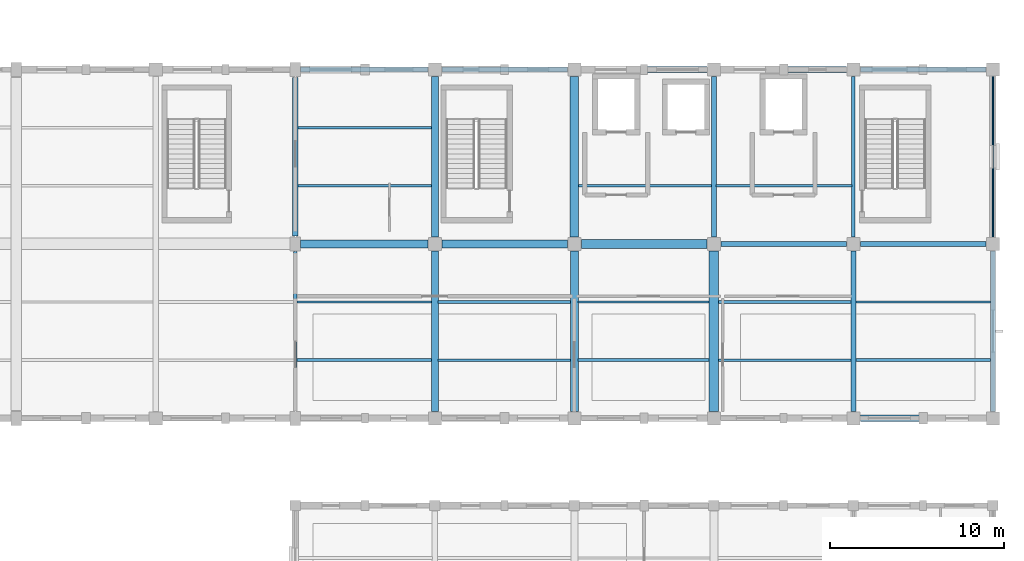
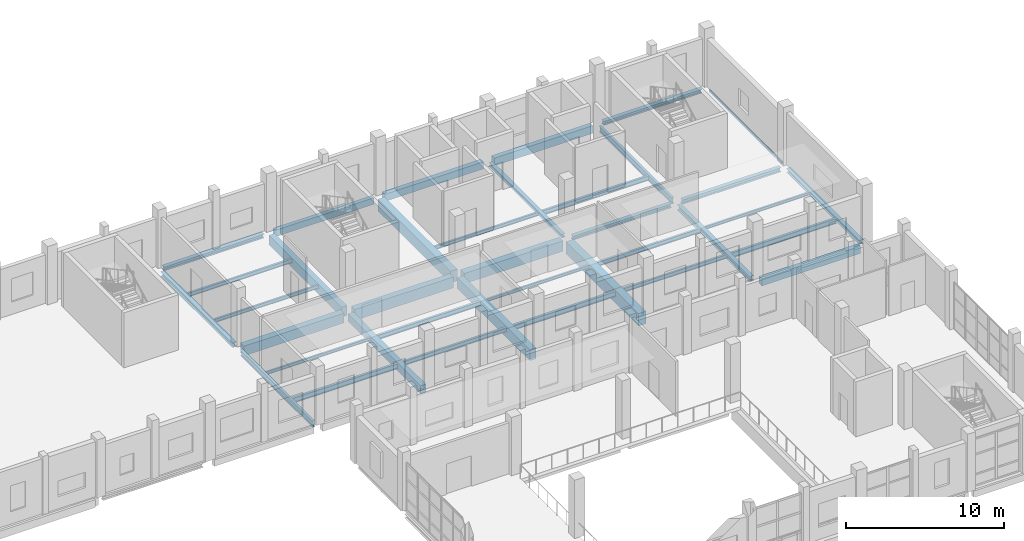
# One storey, part 114 of 183: 37 beams.
"""IFC4 building model written with IfcOpenShell, lengths in metres."""

import ifcopenshell
import ifcopenshell.guid

model = None  # the IFC model being written
_history = None  # IfcOwnerHistory: only IFC2X3 demands one
_inside = {}  # id of a spatial element -> (the spatial element, [elements in it])
_under = {}  # id of a project, library or spatial element -> (it, [spatial elements below it])
_declared = {}  # id of a project -> (the project, [libraries it declares])
_typed = {}  # id of a type object -> (the type object, [elements of that type])
_made_of = {}  # id of a material, layer set ... -> (it, [elements and type objects made of it])


def new_model(schema):
    """Start an empty IFC model of exactly this schema.

    Asked for "IFC4X3", IfcOpenShell would pick the latest addendum, in which some entities
    have other attributes; the version numbers below select the first issue.
    IFC2X3 requires an IfcOwnerHistory on every rooted entity: one is made here for all.
    """
    global model, _history
    if schema == "IFC4X3":
        model = ifcopenshell.file(schema_version=(4, 3, 0, 0))
    else:
        model = ifcopenshell.file(schema=schema)
    _inside.clear()
    _under.clear()
    _declared.clear()
    _typed.clear()
    _made_of.clear()
    _history = None
    if model.schema == "IFC2X3":
        org = make("IfcOrganization", Name="unknown")
        user = make(
            "IfcPersonAndOrganization",
            ThePerson=make("IfcPerson", FamilyName="unknown"),
            TheOrganization=org,
        )
        app = make(
            "IfcApplication",
            ApplicationDeveloper=org,
            Version="unknown",
            ApplicationFullName="unknown",
            ApplicationIdentifier="unknown",
        )
        _history = make(
            "IfcOwnerHistory",
            OwningUser=user,
            OwningApplication=app,
            ChangeAction="ADDED",
            CreationDate=0,
        )
    return model


def make(cls, **values):
    """One entity of the class cls with the attributes given. An attribute that is None is left unset."""
    return model.create_entity(
        cls, **{name: value for name, value in values.items() if value is not None}
    )


def rooted(cls, **values):
    """An entity with a GlobalId (a new one), such as an element, a storey or a relation."""
    return make(cls, GlobalId=ifcopenshell.guid.new(), OwnerHistory=_history, **values)


def si_unit(unit_type, name, prefix=None):
    """IfcSIUnit, for example si_unit("LENGTHUNIT", "METRE", prefix="MILLI")."""
    return make("IfcSIUnit", UnitType=unit_type, Prefix=prefix, Name=name)


def assignment(units):
    """IfcUnitAssignment: the units of a project."""
    return None if units is None else make("IfcUnitAssignment", Units=units)


def point(xyz):
    """IfcCartesianPoint."""
    return None if xyz is None else make("IfcCartesianPoint", Coordinates=xyz)


def direction(xyz):
    """IfcDirection."""
    return None if xyz is None else make("IfcDirection", DirectionRatios=xyz)


def frame(location, z_axis=None, x_axis=None):
    """IfcAxis2Placement3D, a coordinate frame: its origin and axes. An axis left out is left unset."""
    return make(
        "IfcAxis2Placement3D",
        Location=point(location),
        Axis=direction(z_axis),
        RefDirection=direction(x_axis),
    )


def frame_2d(location, x_axis=None):
    """IfcAxis2Placement2D, a coordinate frame in the plane: its origin and x axis."""
    return make(
        "IfcAxis2Placement2D", Location=point(location), RefDirection=direction(x_axis)
    )


def origin():
    """The frame at (0, 0, 0) with its axes left unset."""
    return frame((0.0, 0.0, 0.0))


def origin_2d():
    """The frame at (0, 0) in the plane with its x axis left unset."""
    return frame_2d((0.0, 0.0))


def place(relative_to, where):
    """IfcLocalPlacement: puts the frame where relative to a parent placement (None: the world)."""
    return make(
        "IfcLocalPlacement", PlacementRelTo=relative_to, RelativePlacement=where
    )


def context(
    kind, dimensions, precision=None, world=None, true_north=None, identifier=None
):
    """IfcGeometricRepresentationContext, for example the 3D "Model" context."""
    return make(
        "IfcGeometricRepresentationContext",
        ContextIdentifier=identifier,
        ContextType=kind,
        CoordinateSpaceDimension=dimensions,
        Precision=precision,
        WorldCoordinateSystem=world,
        TrueNorth=true_north,
    )


def subcontext(parent, identifier, kind, view, scale=None):
    """IfcGeometricRepresentationSubContext, for example "Body" below "Model"."""
    return make(
        "IfcGeometricRepresentationSubContext",
        ContextIdentifier=identifier,
        ContextType=kind,
        ParentContext=parent,
        TargetScale=scale,
        TargetView=view,
    )


def project(units=None, contexts=None):
    """IfcProject with its units and contexts."""
    return rooted(
        "IfcProject",
        Name="project",
        RepresentationContexts=contexts,
        UnitsInContext=assignment(units),
    )


def spatial(cls, under=None, at=None, **own):
    """A site, building, storey or space (cls), placed at a placement, below another one or the project."""
    s = rooted(cls, ObjectPlacement=at, **own)
    if under is not None:
        _under.setdefault(under.id(), (under, []))[1].append(s)
    return s


def profile(cls, at=None, kind="AREA", **sizes):
    """A parametric profile (cls). Its sizes go by their IFC names, for example OverallWidth=200.0."""
    return make(cls, ProfileType=kind, Position=at, **sizes)


def rectangle(**sizes):
    """IfcRectangleProfileDef."""
    return profile("IfcRectangleProfileDef", **sizes)


def hollow_rectangle(**sizes):
    """IfcRectangleHollowProfileDef."""
    return profile("IfcRectangleHollowProfileDef", **sizes)


def i_section(**sizes):
    """IfcIShapeProfileDef."""
    return profile("IfcIShapeProfileDef", **sizes)


def extrude(swept, where, along, depth):
    """IfcExtrudedAreaSolid: the profile swept, set in the frame where, extruded along a direction by depth."""
    return make(
        "IfcExtrudedAreaSolid",
        SweptArea=swept,
        Position=where,
        ExtrudedDirection=direction(along),
        Depth=depth,
    )


def shape(context_of_items, identifier, shape_type, items):
    """IfcShapeRepresentation: the items that make up one representation, for example the "Body"."""
    return make(
        "IfcShapeRepresentation",
        ContextOfItems=context_of_items,
        RepresentationIdentifier=identifier,
        RepresentationType=shape_type,
        Items=items,
    )


def material(Name=None, Category=None):
    """IfcMaterial."""
    return make("IfcMaterial", Name=Name, Category=Category)


def material_profile(
    of_material, cross_section, Name=None, Category=None, Priority=None
):
    """IfcMaterialProfile: a cross section and its material."""
    return make(
        "IfcMaterialProfile",
        Name=Name,
        Material=of_material,
        Profile=cross_section,
        Priority=Priority,
        Category=Category,
    )


def profile_set(profiles, Name=None, composite=None):
    """IfcMaterialProfileSet."""
    return make(
        "IfcMaterialProfileSet",
        Name=Name,
        MaterialProfiles=profiles,
        CompositeProfile=composite,
    )


def made_of(thing, what):
    """Note that an element or type object is made of a material, layer set ...; save() writes the relation."""
    if what is not None:
        _made_of.setdefault(what.id(), (what, []))[1].append(thing)
    return thing


def type_object(cls, material=None, **own):
    """A type object (cls), such as IfcWallType, which elements share."""
    return made_of(rooted(cls, **own), material)


def element(
    cls,
    number,
    at=None,
    inside=None,
    cuts=None,
    type_object=None,
    material=None,
    context=None,
    identifier="Body",
    shape_type=None,
    held_by="IfcProductDefinitionShape",
    body=None,
    shapes=None,
    **own,
):
    """One element of the class cls, such as IfcWall. Its Tag is "e" and its number.

    at: its placement. inside: the storey or other place that contains it. cuts: it is an
    opening in that element (IfcRelVoidsElement). A single representation is given by context,
    identifier, shape_type and body (its items); several are given by shapes. held_by: the class
    of the entity that holds the representations. save() writes the other relations.
    """
    e = rooted(cls, Tag="e%d" % number, ObjectPlacement=at, **own)
    if body is not None:
        shapes = [shape(context, identifier, shape_type, body)]
    if shapes is not None:
        e.Representation = make(held_by, Representations=shapes)
    if inside is not None:
        _inside.setdefault(inside.id(), (inside, []))[1].append(e)
    if cuts is not None:
        rooted(
            "IfcRelVoidsElement", RelatingBuildingElement=cuts, RelatedOpeningElement=e
        )
    if type_object is not None:
        _typed.setdefault(type_object.id(), (type_object, []))[1].append(e)
    return made_of(e, material)


def aggregate(whole, parts):
    """IfcRelAggregates: a whole, such as a stair, and the parts it consists of."""
    return rooted("IfcRelAggregates", RelatingObject=whole, RelatedObjects=parts)


def save(model, path):
    """Write the relations noted so far, then the file.

    IfcRelAggregates (storeys below a building ...), IfcRelContainedInSpatialStructure (elements
    in a storey), IfcRelDefinesByType, IfcRelAssociatesMaterial and IfcRelDeclares: one each for
    every whole, place, type object, material and project.
    """
    for whole, parts in _under.values():
        aggregate(whole, parts)
    for where, things in _inside.values():
        rooted(
            "IfcRelContainedInSpatialStructure",
            RelatedElements=things,
            RelatingStructure=where,
        )
    for kind, things in _typed.values():
        rooted("IfcRelDefinesByType", RelatedObjects=things, RelatingType=kind)
    for what, things in _made_of.values():
        rooted("IfcRelAssociatesMaterial", RelatedObjects=things, RelatingMaterial=what)
    for by, libraries in _declared.values():
        rooted("IfcRelDeclares", RelatingContext=by, RelatedDefinitions=libraries)
    model.write(path)


model = new_model("IFC4")

# Units and contexts
model_context = context("Model", 3, precision=1e-05, world=origin(), true_north=direction((0.0, 1.0)))
body_context = subcontext(model_context, "Body", "Model", "MODEL_VIEW")
ifc_project = project(units=[si_unit("LENGTHUNIT", "METRE"), si_unit("AREAUNIT", "SQUARE_METRE"), si_unit("VOLUMEUNIT", "CUBIC_METRE"), si_unit("PLANEANGLEUNIT", "RADIAN"), si_unit("MASSUNIT", "GRAM", prefix="KILO")], contexts=[model_context])

# Site, building, storey
site_placement = place(None, origin())
site = spatial("IfcSite", under=ifc_project, at=site_placement, CompositionType="ELEMENT")
building_placement = place(site_placement, origin())
building = spatial("IfcBuilding", under=site, at=building_placement, Name="Luwemba Playhouse", CompositionType="ELEMENT")
storey_placement = place(building_placement, frame((0.0, 0.0, 4.800048828125)))
storey = spatial("IfcBuildingStorey", under=building, at=storey_placement, Name="L01", CompositionType="ELEMENT", Elevation=4.800048828125)

# Beams
ifc_material_1 = material(Name="Concrete C40/50", Category="concrete")
ifc_material_profile_1 = material_profile(ifc_material_1, rectangle(XDim=0.39990234375, YDim=0.60009765625, at=origin_2d()))
ifc_profile_set_1 = profile_set([ifc_material_profile_1], Name="Concrete C40/50")
beam_type_1 = type_object("IfcBeamType", Name="BM-RB01", PredefinedType="BEAM", material=ifc_profile_set_1)
beam_1_placement = place(storey_placement, frame((140.0, 95.39990234375, -0.550048828125), z_axis=(0.0, 1.0, 0.0), x_axis=(-1.0, 0.0, 0.0)))
element("IfcBeam", 1, at=beam_1_placement, inside=storey, type_object=beam_type_1, Name="L01 transverse girder 0630", PredefinedType="BEAM", context=body_context, shape_type="SweptSolid", body=[
    extrude(rectangle(XDim=0.39990234375, YDim=0.60009765625, at=origin_2d()), origin(), (0.0, 0.0, 1.0), 9.2001953125),
])
ifc_material_profile_2 = material_profile(ifc_material_1, rectangle(XDim=0.39990234375, YDim=0.75, at=origin_2d()))
ifc_profile_set_2 = profile_set([ifc_material_profile_2], Name="Concrete C40/50")
beam_type_2 = type_object("IfcBeamType", Name="BM-RB03", PredefinedType="BEAM", material=ifc_profile_set_2)
beam_2_placement = place(storey_placement, frame((140.0, 105.39990234375, -0.625), z_axis=(0.0, 1.0, 0.0), x_axis=(-1.0, 0.0, 0.0)))
element("IfcBeam", 2, at=beam_2_placement, inside=storey, type_object=beam_type_2, Name="L01 transverse girder 0631", PredefinedType="BEAM", context=body_context, shape_type="SweptSolid", body=[
    extrude(rectangle(XDim=0.39990234375, YDim=0.75, at=origin_2d()), origin(), (0.0, 0.0, 1.0), 9.2001953125),
])
ifc_material_profile_3 = material_profile(ifc_material_1, rectangle(XDim=0.449951171875, YDim=0.75, at=origin_2d()))
ifc_profile_set_3 = profile_set([ifc_material_profile_3], Name="Concrete C40/50")
beam_type_3 = type_object("IfcBeamType", Name="BM-RB04", PredefinedType="BEAM", material=ifc_profile_set_3)
beam_3_placement = place(storey_placement, frame((132.300048828125, 105.0, -0.625), z_axis=(1.0, 0.0, 0.0), x_axis=(0.0, 1.0, 0.0)))
element("IfcBeam", 3, at=beam_3_placement, inside=storey, type_object=beam_type_3, Name="L01 grid girder 0611", PredefinedType="BEAM", context=body_context, shape_type="SweptSolid", body=[
    extrude(rectangle(XDim=0.449951171875, YDim=0.75, at=origin_2d()), origin(), (0.0, 0.0, 1.0), 7.300048828125),
])
ifc_material_profile_4 = material_profile(ifc_material_1, rectangle(XDim=0.449951171875, YDim=0.85009765625, at=origin_2d()))
ifc_profile_set_4 = profile_set([ifc_material_profile_4], Name="Concrete C40/50")
beam_type_4 = type_object("IfcBeamType", Name="BM-RB05", PredefinedType="BEAM", material=ifc_profile_set_4)
beam_4_placement = place(storey_placement, frame((140.39990234375, 105.0, -0.675048828125), z_axis=(1.0, 0.0, 0.0), x_axis=(0.0, 1.0, 0.0)))
element("IfcBeam", 4, at=beam_4_placement, inside=storey, type_object=beam_type_4, Name="L01 grid girder 0612", PredefinedType="BEAM", context=body_context, shape_type="SweptSolid", body=[
    extrude(rectangle(XDim=0.449951171875, YDim=0.85009765625, at=origin_2d()), origin(), (0.0, 0.0, 1.0), 7.2001953125),
])
beam_5_placement = place(storey_placement, frame((148.0, 95.39990234375, -0.675048828125), z_axis=(0.0, 1.0, 0.0), x_axis=(-1.0, 0.0, 0.0)))
element("IfcBeam", 5, at=beam_5_placement, inside=storey, type_object=beam_type_4, Name="L01 transverse girder 0632", PredefinedType="BEAM", context=body_context, shape_type="SweptSolid", body=[
    extrude(rectangle(XDim=0.449951171875, YDim=0.85009765625, at=origin_2d()), origin(), (0.0, 0.0, 1.0), 9.2001953125),
])
ifc_material_profile_5 = material_profile(ifc_material_1, rectangle(XDim=0.5, YDim=0.800048828125, at=origin_2d()))
ifc_profile_set_5 = profile_set([ifc_material_profile_5], Name="Concrete C40/50")
beam_type_5 = type_object("IfcBeamType", Name="BM-RB06", PredefinedType="BEAM", material=ifc_profile_set_5)
beam_6_placement = place(storey_placement, frame((148.39990234375, 105.0, -0.650146484375), z_axis=(1.0, 0.0, 0.0), x_axis=(0.0, 1.0, 0.0)))
element("IfcBeam", 6, at=beam_6_placement, inside=storey, type_object=beam_type_5, Name="L01 grid girder 0613", PredefinedType="BEAM", context=body_context, shape_type="SweptSolid", body=[
    extrude(rectangle(XDim=0.5, YDim=0.800048828125, at=origin_2d()), origin(), (0.0, 0.0, 1.0), 7.2001953125),
])
ifc_material_profile_6 = material_profile(ifc_material_1, rectangle(XDim=0.5, YDim=0.89990234375, at=origin_2d()))
ifc_profile_set_6 = profile_set([ifc_material_profile_6], Name="Concrete C40/50")
beam_type_6 = type_object("IfcBeamType", Name="BM-RB07", PredefinedType="BEAM", material=ifc_profile_set_6)
beam_7_placement = place(storey_placement, frame((148.0, 105.39990234375, -0.699951171875), z_axis=(0.0, 1.0, 0.0), x_axis=(-1.0, 0.0, 0.0)))
element("IfcBeam", 7, at=beam_7_placement, inside=storey, type_object=beam_type_6, Name="L01 transverse girder 0633", PredefinedType="BEAM", context=body_context, shape_type="SweptSolid", body=[
    extrude(rectangle(XDim=0.5, YDim=0.89990234375, at=origin_2d()), origin(), (0.0, 0.0, 1.0), 9.2001953125),
])
ifc_material_profile_7 = material_profile(ifc_material_1, rectangle(XDim=0.550048828125, YDim=0.949951171875, at=origin_2d()))
ifc_profile_set_7 = profile_set([ifc_material_profile_7], Name="Concrete C40/50")
beam_type_7 = type_object("IfcBeamType", Name="BM-RB08", PredefinedType="BEAM", material=ifc_profile_set_7)
beam_8_placement = place(storey_placement, frame((156.0, 95.39990234375, -0.72509765625), z_axis=(0.0, 1.0, 0.0), x_axis=(-1.0, 0.0, 0.0)))
element("IfcBeam", 8, at=beam_8_placement, inside=storey, type_object=beam_type_7, Name="L01 transverse girder 0634", PredefinedType="BEAM", context=body_context, shape_type="SweptSolid", body=[
    extrude(rectangle(XDim=0.550048828125, YDim=0.949951171875, at=origin_2d()), origin(), (0.0, 0.0, 1.0), 9.2001953125),
])
ifc_material_2 = material(Name="Steel S355", Category="steel")
ifc_material_profile_8 = material_profile(ifc_material_2, i_section(OverallWidth=0.280029296875, OverallDepth=0.27001953125, WebThickness=0.008056640625, FlangeThickness=0.012939453125, FilletRadius=0.02392578125, at=origin_2d()))
ifc_profile_set_8 = profile_set([ifc_material_profile_8], Name="Steel S355")
beam_type_8 = type_object("IfcBeamType", Name="BM-SB02", PredefinedType="BEAM", material=ifc_profile_set_8)
beam_9_placement = place(storey_placement, frame((156.0, 105.39990234375, -0.385009765625), z_axis=(0.0, 1.0, 0.0), x_axis=(-1.0, 0.0, 0.0)))
element("IfcBeam", 9, at=beam_9_placement, inside=storey, type_object=beam_type_8, Name="L01 transverse girder 0635", PredefinedType="BEAM", context=body_context, shape_type="SweptSolid", body=[
    extrude(i_section(OverallWidth=0.280029296875, OverallDepth=0.27001953125, WebThickness=0.008056640625, FlangeThickness=0.012939453125, FilletRadius=0.02392578125, at=origin_2d()), origin(), (0.0, 0.0, 1.0), 9.2001953125),
])
ifc_material_profile_9 = material_profile(ifc_material_2, i_section(OverallWidth=0.300048828125, OverallDepth=0.2900390625, WebThickness=0.008544921875, FlangeThickness=0.013916015625, FilletRadius=0.027099609375, at=origin_2d()))
ifc_profile_set_9 = profile_set([ifc_material_profile_9], Name="Steel S355")
beam_type_9 = type_object("IfcBeamType", Name="BM-SB03", PredefinedType="BEAM", material=ifc_profile_set_9)
beam_10_placement = place(storey_placement, frame((156.39990234375, 105.0, -0.39501953125), z_axis=(1.0, 0.0, 0.0), x_axis=(0.0, 1.0, 0.0)))
element("IfcBeam", 10, at=beam_10_placement, inside=storey, type_object=beam_type_9, Name="L01 grid girder 0614", PredefinedType="BEAM", context=body_context, shape_type="SweptSolid", body=[
    extrude(i_section(OverallWidth=0.300048828125, OverallDepth=0.2900390625, WebThickness=0.008544921875, FlangeThickness=0.013916015625, FilletRadius=0.027099609375, at=origin_2d()), origin(), (0.0, 0.0, 1.0), 7.2001953125),
])
ifc_material_profile_10 = material_profile(ifc_material_2, i_section(OverallWidth=0.300048828125, OverallDepth=0.330078125, WebThickness=0.009521484375, FlangeThickness=0.0166015625, FilletRadius=0.027099609375, at=origin_2d()))
ifc_profile_set_10 = profile_set([ifc_material_profile_10], Name="Steel S355")
beam_type_10 = type_object("IfcBeamType", Name="BM-SB04", PredefinedType="BEAM", material=ifc_profile_set_10)
beam_11_placement = place(storey_placement, frame((164.39990234375, 105.0, -0.4150390625), z_axis=(1.0, 0.0, 0.0), x_axis=(0.0, 1.0, 0.0)))
element("IfcBeam", 11, at=beam_11_placement, inside=storey, type_object=beam_type_10, Name="L01 grid girder 0615", PredefinedType="BEAM", context=body_context, shape_type="SweptSolid", body=[
    extrude(i_section(OverallWidth=0.300048828125, OverallDepth=0.330078125, WebThickness=0.009521484375, FlangeThickness=0.0166015625, FilletRadius=0.027099609375, at=origin_2d()), origin(), (0.0, 0.0, 1.0), 7.2001953125),
])
ifc_material_profile_11 = material_profile(ifc_material_2, i_section(OverallWidth=0.300048828125, OverallDepth=0.389892578125, WebThickness=0.010986328125, FlangeThickness=0.01904296875, FilletRadius=0.027099609375, at=origin_2d()))
ifc_profile_set_11 = profile_set([ifc_material_profile_11], Name="Steel S355")
beam_type_11 = type_object("IfcBeamType", Name="BM-SB05", PredefinedType="BEAM", material=ifc_profile_set_11)
beam_12_placement = place(storey_placement, frame((164.0, 95.39990234375, -0.445068359375), z_axis=(0.0, 1.0, 0.0), x_axis=(-1.0, 0.0, 0.0)))
element("IfcBeam", 12, at=beam_12_placement, inside=storey, type_object=beam_type_11, Name="L01 transverse girder 0636", PredefinedType="BEAM", context=body_context, shape_type="SweptSolid", body=[
    extrude(i_section(OverallWidth=0.300048828125, OverallDepth=0.389892578125, WebThickness=0.010986328125, FlangeThickness=0.01904296875, FilletRadius=0.027099609375, at=origin_2d()), origin(), (0.0, 0.0, 1.0), 9.2001953125),
])
ifc_material_profile_12 = material_profile(ifc_material_2, i_section(OverallWidth=0.18994140625, OverallDepth=0.449951171875, WebThickness=0.009521484375, FlangeThickness=0.0146484375, FilletRadius=0.02099609375, at=origin_2d()))
ifc_profile_set_12 = profile_set([ifc_material_profile_12], Name="Steel S355")
beam_type_12 = type_object("IfcBeamType", Name="BM-SB06", PredefinedType="BEAM", material=ifc_profile_set_12)
beam_13_placement = place(storey_placement, frame((132.0, 95.449951171875, -0.47509765625), z_axis=(0.0, 1.0, 0.0), x_axis=(-1.0, 0.0, 0.0)))
element("IfcBeam", 13, at=beam_13_placement, inside=storey, type_object=beam_type_12, Name="L01 transverse girder 0628", PredefinedType="BEAM", context=body_context, shape_type="SweptSolid", body=[
    extrude(i_section(OverallWidth=0.18994140625, OverallDepth=0.449951171875, WebThickness=0.009521484375, FlangeThickness=0.0146484375, FilletRadius=0.02099609375, at=origin_2d()), origin(), (0.0, 0.0, 1.0), 9.10009765625),
])
beam_14_placement = place(storey_placement, frame((164.0, 105.39990234375, -0.47509765625), z_axis=(0.0, 1.0, 0.0), x_axis=(-1.0, 0.0, 0.0)))
element("IfcBeam", 14, at=beam_14_placement, inside=storey, type_object=beam_type_12, Name="L01 transverse girder 0637", PredefinedType="BEAM", context=body_context, shape_type="SweptSolid", body=[
    extrude(i_section(OverallWidth=0.18994140625, OverallDepth=0.449951171875, WebThickness=0.009521484375, FlangeThickness=0.0146484375, FilletRadius=0.02099609375, at=origin_2d()), origin(), (0.0, 0.0, 1.0), 9.2001953125),
])
ifc_material_profile_13 = material_profile(ifc_material_2, i_section(OverallWidth=0.300048828125, OverallDepth=0.360107421875, WebThickness=0.012451171875, FlangeThickness=0.0224609375, FilletRadius=0.027099609375, at=origin_2d()))
ifc_profile_set_13 = profile_set([ifc_material_profile_13], Name="Steel S355")
beam_type_13 = type_object("IfcBeamType", Name="BM-SB09", PredefinedType="BEAM", material=ifc_profile_set_13)
beam_15_placement = place(storey_placement, frame((132.0, 105.449951171875, -0.429931640625), z_axis=(0.0, 1.0, 0.0), x_axis=(-1.0, 0.0, 0.0)))
element("IfcBeam", 15, at=beam_15_placement, inside=storey, type_object=beam_type_13, Name="L01 transverse girder 0629", PredefinedType="BEAM", context=body_context, shape_type="SweptSolid", body=[
    extrude(i_section(OverallWidth=0.300048828125, OverallDepth=0.360107421875, WebThickness=0.012451171875, FlangeThickness=0.0224609375, FilletRadius=0.027099609375, at=origin_2d()), origin(), (0.0, 0.0, 1.0), 9.10009765625),
])
ifc_material_profile_14 = material_profile(ifc_material_2, i_section(OverallWidth=0.1201171875, OverallDepth=0.239990234375, WebThickness=0.006103515625, FlangeThickness=0.009765625, FilletRadius=0.014892578125, at=origin_2d()))
ifc_profile_set_14 = profile_set([ifc_material_profile_14], Name="Steel S355")
beam_type_14 = type_object("IfcBeamType", Name="BM-SJ03", PredefinedType="JOIST", material=ifc_profile_set_14)
beam_16_placement = place(storey_placement, frame((132.091064453125, 101.666748046875, -0.3701171875), z_axis=(1.0, 0.0, 0.0), x_axis=(0.0, 1.0, 0.0)))
element("IfcBeam", 16, at=beam_16_placement, inside=storey, type_object=beam_type_14, Name="L01 composite floor joist 0376", PredefinedType="JOIST", context=body_context, shape_type="SweptSolid", body=[
    extrude(i_section(OverallWidth=0.1201171875, OverallDepth=0.239990234375, WebThickness=0.006103515625, FlangeThickness=0.009765625, FilletRadius=0.014892578125, at=origin_2d()), origin(), (0.0, 0.0, 1.0), 7.712890625),
])
beam_17_placement = place(storey_placement, frame((148.220947265625, 101.666748046875, -0.3701171875), z_axis=(1.0, 0.0, 0.0), x_axis=(0.0, 1.0, 0.0)))
element("IfcBeam", 17, at=beam_17_placement, inside=storey, type_object=beam_type_14, Name="L01 composite floor joist 0382", PredefinedType="JOIST", context=body_context, shape_type="SweptSolid", body=[
    extrude(i_section(OverallWidth=0.1201171875, OverallDepth=0.239990234375, WebThickness=0.006103515625, FlangeThickness=0.009765625, FilletRadius=0.014892578125, at=origin_2d()), origin(), (0.0, 0.0, 1.0), 7.508056640625),
])
beam_18_placement = place(storey_placement, frame((164.14599609375, 101.666748046875, -0.3701171875), z_axis=(1.0, 0.0, 0.0), x_axis=(0.0, 1.0, 0.0)))
element("IfcBeam", 18, at=beam_18_placement, inside=storey, type_object=beam_type_14, Name="L01 composite floor joist 0388", PredefinedType="JOIST", context=body_context, shape_type="SweptSolid", body=[
    extrude(i_section(OverallWidth=0.1201171875, OverallDepth=0.239990234375, WebThickness=0.006103515625, FlangeThickness=0.009765625, FilletRadius=0.014892578125, at=origin_2d()), origin(), (0.0, 0.0, 1.0), 7.7080078125),
])
ifc_material_profile_15 = material_profile(ifc_material_2, i_section(OverallWidth=0.135009765625, OverallDepth=0.27001953125, WebThickness=0.006591796875, FlangeThickness=0.01025390625, FilletRadius=0.014892578125, at=origin_2d()))
ifc_profile_set_15 = profile_set([ifc_material_profile_15], Name="Steel S355")
beam_type_15 = type_object("IfcBeamType", Name="BM-SJ04", PredefinedType="JOIST", material=ifc_profile_set_15)
beam_19_placement = place(storey_placement, frame((132.14599609375, 108.333251953125, -0.385009765625), z_axis=(1.0, 0.0, 0.0), x_axis=(0.0, 1.0, 0.0)))
element("IfcBeam", 19, at=beam_19_placement, inside=storey, type_object=beam_type_15, Name="L01 composite floor joist 0377", PredefinedType="JOIST", context=body_context, shape_type="SweptSolid", body=[
    extrude(i_section(OverallWidth=0.135009765625, OverallDepth=0.27001953125, WebThickness=0.006591796875, FlangeThickness=0.01025390625, FilletRadius=0.014892578125, at=origin_2d()), origin(), (0.0, 0.0, 1.0), 7.657958984375),
])
beam_20_placement = place(storey_placement, frame((148.24609375, 108.333251953125, -0.385009765625), z_axis=(1.0, 0.0, 0.0), x_axis=(0.0, 1.0, 0.0)))
element("IfcBeam", 20, at=beam_20_placement, inside=storey, type_object=beam_type_15, Name="L01 composite floor joist 0383", PredefinedType="JOIST", context=body_context, shape_type="SweptSolid", body=[
    extrude(i_section(OverallWidth=0.135009765625, OverallDepth=0.27001953125, WebThickness=0.006591796875, FlangeThickness=0.01025390625, FilletRadius=0.014892578125, at=origin_2d()), origin(), (0.0, 0.0, 1.0), 7.617919921875),
])
ifc_material_profile_16 = material_profile(ifc_material_2, i_section(OverallWidth=0.14990234375, OverallDepth=0.300048828125, WebThickness=0.007080078125, FlangeThickness=0.0107421875, FilletRadius=0.014892578125, at=origin_2d()))
ifc_profile_set_16 = profile_set([ifc_material_profile_16], Name="Steel S355")
beam_type_16 = type_object("IfcBeamType", Name="BM-SJ05", PredefinedType="JOIST", material=ifc_profile_set_16)
beam_21_placement = place(storey_placement, frame((132.14599609375, 111.666748046875, -0.400146484375), z_axis=(1.0, 0.0, 0.0), x_axis=(0.0, 1.0, 0.0)))
element("IfcBeam", 21, at=beam_21_placement, inside=storey, type_object=beam_type_16, Name="L01 composite floor joist 0378", PredefinedType="JOIST", context=body_context, shape_type="SweptSolid", body=[
    extrude(i_section(OverallWidth=0.14990234375, OverallDepth=0.300048828125, WebThickness=0.007080078125, FlangeThickness=0.0107421875, FilletRadius=0.014892578125, at=origin_2d()), origin(), (0.0, 0.0, 1.0), 7.657958984375),
])
beam_22_placement = place(storey_placement, frame((156.27099609375, 98.333251953125, -0.400146484375), z_axis=(1.0, 0.0, 0.0), x_axis=(0.0, 1.0, 0.0)))
element("IfcBeam", 22, at=beam_22_placement, inside=storey, type_object=beam_type_16, Name="L01 composite floor joist 0384", PredefinedType="JOIST", context=body_context, shape_type="SweptSolid", body=[
    extrude(i_section(OverallWidth=0.14990234375, OverallDepth=0.300048828125, WebThickness=0.007080078125, FlangeThickness=0.0107421875, FilletRadius=0.014892578125, at=origin_2d()), origin(), (0.0, 0.0, 1.0), 7.5830078125),
])
ifc_material_profile_17 = material_profile(ifc_material_2, i_section(OverallWidth=0.159912109375, OverallDepth=0.330078125, WebThickness=0.007568359375, FlangeThickness=0.011474609375, FilletRadius=0.01806640625, at=origin_2d()))
ifc_profile_set_17 = profile_set([ifc_material_profile_17], Name="Steel S355")
beam_type_17 = type_object("IfcBeamType", Name="BM-SJ06", PredefinedType="JOIST", material=ifc_profile_set_17)
for number, where, z_axis, x_axis, name in (
    (23, (140.196044921875, 98.333251953125, -0.4150390625), (1.0, 0.0, 0.0), (0.0, 1.0, 0.0), "L01 composite floor joist 0379"),
    (24, (156.27099609375, 101.666748046875, -0.4150390625), (1.0, 0.0, 0.0), (0.0, 1.0, 0.0), "L01 composite floor joist 0385"),
):
    element("IfcBeam", number, at=place(storey_placement, frame(where, z_axis=z_axis, x_axis=x_axis)), inside=storey, type_object=beam_type_17, Name=name, PredefinedType="JOIST", context=body_context, shape_type="SweptSolid", body=[
        extrude(i_section(OverallWidth=0.159912109375, OverallDepth=0.330078125, WebThickness=0.007568359375, FlangeThickness=0.011474609375, FilletRadius=0.01806640625, at=origin_2d()), origin(), (0.0, 0.0, 1.0), 7.5830078125),
    ])
ifc_material_profile_18 = material_profile(ifc_material_2, i_section(OverallWidth=0.169921875, OverallDepth=0.360107421875, WebThickness=0.008056640625, FlangeThickness=0.0126953125, FilletRadius=0.01806640625, at=origin_2d()))
ifc_profile_set_18 = profile_set([ifc_material_profile_18], Name="Steel S355")
beam_type_18 = type_object("IfcBeamType", Name="BM-SJ07", PredefinedType="JOIST", material=ifc_profile_set_18)
beam_23_placement = place(storey_placement, frame((140.196044921875, 101.666748046875, -0.429931640625), z_axis=(1.0, 0.0, 0.0), x_axis=(0.0, 1.0, 0.0)))
element("IfcBeam", 25, at=beam_23_placement, inside=storey, type_object=beam_type_18, Name="L01 composite floor joist 0380", PredefinedType="JOIST", context=body_context, shape_type="SweptSolid", body=[
    extrude(i_section(OverallWidth=0.169921875, OverallDepth=0.360107421875, WebThickness=0.008056640625, FlangeThickness=0.0126953125, FilletRadius=0.01806640625, at=origin_2d()), origin(), (0.0, 0.0, 1.0), 7.5830078125),
])
beam_24_placement = place(storey_placement, frame((156.135986328125, 108.333251953125, -0.429931640625), z_axis=(1.0, 0.0, 0.0), x_axis=(0.0, 1.0, 0.0)))
element("IfcBeam", 26, at=beam_24_placement, inside=storey, type_object=beam_type_18, Name="L01 composite floor joist 0386", PredefinedType="JOIST", context=body_context, shape_type="SweptSolid", body=[
    extrude(i_section(OverallWidth=0.169921875, OverallDepth=0.360107421875, WebThickness=0.008056640625, FlangeThickness=0.0126953125, FilletRadius=0.01806640625, at=origin_2d()), origin(), (0.0, 0.0, 1.0), 7.77294921875),
])
ifc_material_profile_19 = material_profile(ifc_material_2, i_section(OverallWidth=0.179931640625, OverallDepth=0.39990234375, WebThickness=0.008544921875, FlangeThickness=0.013427734375, FilletRadius=0.02099609375, at=origin_2d()))
ifc_profile_set_19 = profile_set([ifc_material_profile_19], Name="Steel S355")
beam_type_19 = type_object("IfcBeamType", Name="BM-SJ08", PredefinedType="JOIST", material=ifc_profile_set_19)
beam_25_placement = place(storey_placement, frame((132.091064453125, 98.333251953125, -0.449951171875), z_axis=(1.0, 0.0, 0.0), x_axis=(0.0, 1.0, 0.0)))
element("IfcBeam", 27, at=beam_25_placement, inside=storey, type_object=beam_type_19, Name="L01 composite floor joist 0375", PredefinedType="JOIST", context=body_context, shape_type="SweptSolid", body=[
    extrude(i_section(OverallWidth=0.179931640625, OverallDepth=0.39990234375, WebThickness=0.008544921875, FlangeThickness=0.013427734375, FilletRadius=0.02099609375, at=origin_2d()), origin(), (0.0, 0.0, 1.0), 7.712890625),
])
beam_26_placement = place(storey_placement, frame((148.220947265625, 98.333251953125, -0.449951171875), z_axis=(1.0, 0.0, 0.0), x_axis=(0.0, 1.0, 0.0)))
element("IfcBeam", 28, at=beam_26_placement, inside=storey, type_object=beam_type_19, Name="L01 composite floor joist 0381", PredefinedType="JOIST", context=body_context, shape_type="SweptSolid", body=[
    extrude(i_section(OverallWidth=0.179931640625, OverallDepth=0.39990234375, WebThickness=0.008544921875, FlangeThickness=0.013427734375, FilletRadius=0.02099609375, at=origin_2d()), origin(), (0.0, 0.0, 1.0), 7.508056640625),
])
beam_27_placement = place(storey_placement, frame((164.14599609375, 98.333251953125, -0.449951171875), z_axis=(1.0, 0.0, 0.0), x_axis=(0.0, 1.0, 0.0)))
element("IfcBeam", 29, at=beam_27_placement, inside=storey, type_object=beam_type_19, Name="L01 composite floor joist 0387", PredefinedType="JOIST", context=body_context, shape_type="SweptSolid", body=[
    extrude(i_section(OverallWidth=0.179931640625, OverallDepth=0.39990234375, WebThickness=0.008544921875, FlangeThickness=0.013427734375, FilletRadius=0.02099609375, at=origin_2d()), origin(), (0.0, 0.0, 1.0), 7.7080078125),
])
ifc_material_profile_20 = material_profile(ifc_material_1, rectangle(XDim=0.300048828125, YDim=0.5, at=origin_2d()))
ifc_profile_set_20 = profile_set([ifc_material_profile_20], Name="Concrete C40/50")
beam_type_20 = type_object("IfcBeamType", Name="BM-SP1", PredefinedType="SPANDREL", material=ifc_profile_set_20)
beam_28_placement = place(storey_placement, frame((140.39990234375, 115.0, -0.5), z_axis=(1.0, 0.0, 0.0), x_axis=(0.0, 1.0, 0.0)))
element("IfcBeam", 30, at=beam_28_placement, inside=storey, type_object=beam_type_20, Name="L01 grid girder 0620", PredefinedType="SPANDREL", context=body_context, shape_type="SweptSolid", body=[
    extrude(rectangle(XDim=0.300048828125, YDim=0.5, at=origin_2d()), origin(), (0.0, 0.0, 1.0), 7.2001953125),
])
ifc_material_profile_21 = material_profile(ifc_material_1, rectangle(XDim=0.35009765625, YDim=0.550048828125, at=origin_2d()))
ifc_profile_set_21 = profile_set([ifc_material_profile_21], Name="Concrete C40/50")
beam_type_21 = type_object("IfcBeamType", Name="BM-SP2", PredefinedType="SPANDREL", material=ifc_profile_set_21)
for number, where, z_axis, x_axis, name in (
    (31, (164.39990234375, 95.0, -0.525146484375), (1.0, 0.0, 0.0), (0.0, 1.0, 0.0), "L01 grid girder 0609"),
    (32, (148.39990234375, 115.0, -0.525146484375), (1.0, 0.0, 0.0), (0.0, 1.0, 0.0), "L01 grid girder 0621"),
):
    element("IfcBeam", number, at=place(storey_placement, frame(where, z_axis=z_axis, x_axis=x_axis)), inside=storey, type_object=beam_type_21, Name=name, PredefinedType="SPANDREL", context=body_context, shape_type="SweptSolid", body=[
        extrude(rectangle(XDim=0.35009765625, YDim=0.550048828125, at=origin_2d()), origin(), (0.0, 0.0, 1.0), 7.2001953125),
    ])
ifc_material_profile_22 = material_profile(ifc_material_1, rectangle(XDim=0.35009765625, YDim=0.60009765625, at=origin_2d()))
ifc_profile_set_22 = profile_set([ifc_material_profile_22], Name="Concrete C40/50")
beam_type_22 = type_object("IfcBeamType", Name="BM-SP3", PredefinedType="SPANDREL", material=ifc_profile_set_22)
beam_29_placement = place(storey_placement, frame((156.39990234375, 115.0, -0.550048828125), z_axis=(1.0, 0.0, 0.0), x_axis=(0.0, 1.0, 0.0)))
element("IfcBeam", 33, at=beam_29_placement, inside=storey, type_object=beam_type_22, Name="L01 grid girder 0622", PredefinedType="SPANDREL", context=body_context, shape_type="SweptSolid", body=[
    extrude(rectangle(XDim=0.35009765625, YDim=0.60009765625, at=origin_2d()), origin(), (0.0, 0.0, 1.0), 7.2001953125),
])
ifc_material_profile_23 = material_profile(ifc_material_2, i_section(OverallWidth=0.300048828125, OverallDepth=0.300048828125, WebThickness=0.010986328125, FlangeThickness=0.01904296875, FilletRadius=0.027099609375, at=origin_2d()))
ifc_profile_set_23 = profile_set([ifc_material_profile_23], Name="Steel S355")
beam_type_23 = type_object("IfcBeamType", Name="BM-SSP1", PredefinedType="SPANDREL", material=ifc_profile_set_23)
beam_30_placement = place(storey_placement, frame((132.300048828125, 115.0, -0.400146484375), z_axis=(1.0, 0.0, 0.0), x_axis=(0.0, 1.0, 0.0)))
element("IfcBeam", 34, at=beam_30_placement, inside=storey, type_object=beam_type_23, Name="L01 grid girder 0619", PredefinedType="SPANDREL", context=body_context, shape_type="SweptSolid", body=[
    extrude(i_section(OverallWidth=0.300048828125, OverallDepth=0.300048828125, WebThickness=0.010986328125, FlangeThickness=0.01904296875, FilletRadius=0.027099609375, at=origin_2d()), origin(), (0.0, 0.0, 1.0), 7.300048828125),
])
beam_31_placement = place(storey_placement, frame((164.39990234375, 115.0, -0.400146484375), z_axis=(1.0, 0.0, 0.0), x_axis=(0.0, 1.0, 0.0)))
element("IfcBeam", 35, at=beam_31_placement, inside=storey, type_object=beam_type_23, Name="L01 grid girder 0623", PredefinedType="SPANDREL", context=body_context, shape_type="SweptSolid", body=[
    extrude(i_section(OverallWidth=0.300048828125, OverallDepth=0.300048828125, WebThickness=0.010986328125, FlangeThickness=0.01904296875, FilletRadius=0.027099609375, at=origin_2d()), origin(), (0.0, 0.0, 1.0), 7.2001953125),
])
beam_32_placement = place(storey_placement, frame((172.0, 95.39990234375, -0.400146484375), z_axis=(0.0, 1.0, 0.0), x_axis=(-1.0, 0.0, 0.0)))
element("IfcBeam", 36, at=beam_32_placement, inside=storey, type_object=beam_type_23, Name="L01 transverse girder 0638", PredefinedType="SPANDREL", context=body_context, shape_type="SweptSolid", body=[
    extrude(i_section(OverallWidth=0.300048828125, OverallDepth=0.300048828125, WebThickness=0.010986328125, FlangeThickness=0.01904296875, FilletRadius=0.027099609375, at=origin_2d()), origin(), (0.0, 0.0, 1.0), 9.2001953125),
])
ifc_material_profile_24 = material_profile(ifc_material_2, hollow_rectangle(XDim=0.10009765625, YDim=0.199951171875, WallThickness=0.008056640625, InnerFilletRadius=0.011962890625, OuterFilletRadius=0.02001953125, at=origin_2d()))
ifc_profile_set_24 = profile_set([ifc_material_profile_24], Name="Steel S355")
beam_type_24 = type_object("IfcBeamType", Name="BM-SSP2", PredefinedType="SPANDREL", material=ifc_profile_set_24)
beam_33_placement = place(storey_placement, frame((172.0, 105.39990234375, -0.35009765625), z_axis=(0.0, 1.0, 0.0), x_axis=(-1.0, 0.0, 0.0)))
element("IfcBeam", 37, at=beam_33_placement, inside=storey, type_object=beam_type_24, Name="L01 transverse girder 0639", PredefinedType="SPANDREL", context=body_context, shape_type="SweptSolid", body=[
    extrude(hollow_rectangle(XDim=0.10009765625, YDim=0.199951171875, WallThickness=0.008056640625, InnerFilletRadius=0.011962890625, OuterFilletRadius=0.02001953125, at=origin_2d()), origin(), (0.0, 0.0, 1.0), 9.2001953125),
])

save(model, "model.ifc")
